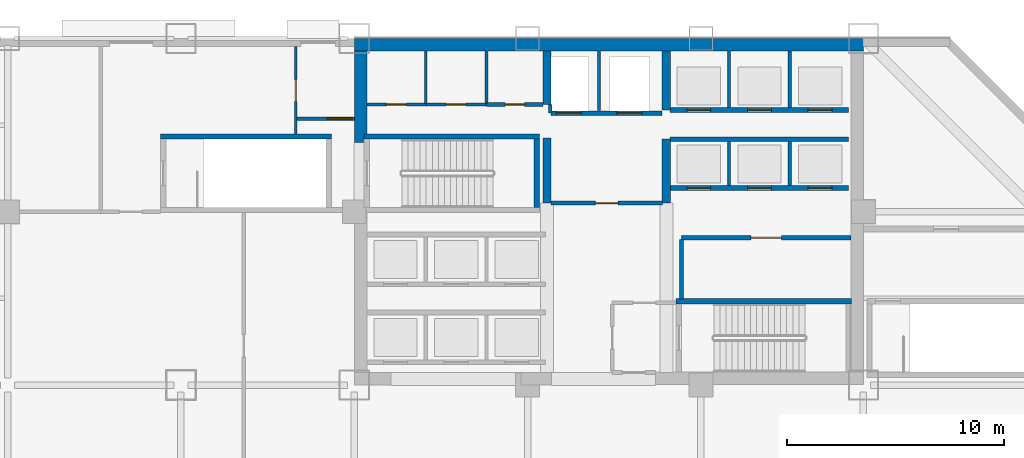
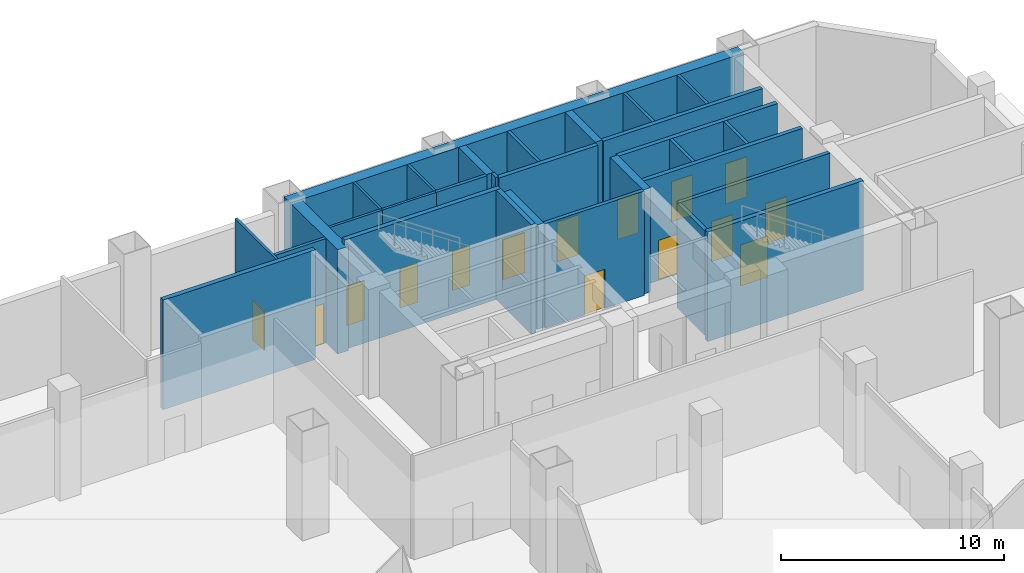
# One storey, part 13 of 19: 30 walls, 15 doors, 15 openings.
"""IFC4 building model written with IfcOpenShell, lengths in metres."""

import ifcopenshell
import ifcopenshell.guid

model = None  # the IFC model being written
_history = None  # IfcOwnerHistory: only IFC2X3 demands one
_inside = {}  # id of a spatial element -> (the spatial element, [elements in it])
_under = {}  # id of a project, library or spatial element -> (it, [spatial elements below it])
_declared = {}  # id of a project -> (the project, [libraries it declares])
_typed = {}  # id of a type object -> (the type object, [elements of that type])
_made_of = {}  # id of a material, layer set ... -> (it, [elements and type objects made of it])


def new_model(schema):
    """Start an empty IFC model of exactly this schema.

    Asked for "IFC4X3", IfcOpenShell would pick the latest addendum, in which some entities
    have other attributes; the version numbers below select the first issue.
    IFC2X3 requires an IfcOwnerHistory on every rooted entity: one is made here for all.
    """
    global model, _history
    if schema == "IFC4X3":
        model = ifcopenshell.file(schema_version=(4, 3, 0, 0))
    else:
        model = ifcopenshell.file(schema=schema)
    _inside.clear()
    _under.clear()
    _declared.clear()
    _typed.clear()
    _made_of.clear()
    _history = None
    if model.schema == "IFC2X3":
        org = make("IfcOrganization", Name="unknown")
        user = make(
            "IfcPersonAndOrganization",
            ThePerson=make("IfcPerson", FamilyName="unknown"),
            TheOrganization=org,
        )
        app = make(
            "IfcApplication",
            ApplicationDeveloper=org,
            Version="unknown",
            ApplicationFullName="unknown",
            ApplicationIdentifier="unknown",
        )
        _history = make(
            "IfcOwnerHistory",
            OwningUser=user,
            OwningApplication=app,
            ChangeAction="ADDED",
            CreationDate=0,
        )
    return model


def make(cls, **values):
    """One entity of the class cls with the attributes given. An attribute that is None is left unset."""
    return model.create_entity(
        cls, **{name: value for name, value in values.items() if value is not None}
    )


def rooted(cls, **values):
    """An entity with a GlobalId (a new one), such as an element, a storey or a relation."""
    return make(cls, GlobalId=ifcopenshell.guid.new(), OwnerHistory=_history, **values)


def si_unit(unit_type, name, prefix=None):
    """IfcSIUnit, for example si_unit("LENGTHUNIT", "METRE", prefix="MILLI")."""
    return make("IfcSIUnit", UnitType=unit_type, Prefix=prefix, Name=name)


def assignment(units):
    """IfcUnitAssignment: the units of a project."""
    return None if units is None else make("IfcUnitAssignment", Units=units)


def point(xyz):
    """IfcCartesianPoint."""
    return None if xyz is None else make("IfcCartesianPoint", Coordinates=xyz)


def direction(xyz):
    """IfcDirection."""
    return None if xyz is None else make("IfcDirection", DirectionRatios=xyz)


def frame(location, z_axis=None, x_axis=None):
    """IfcAxis2Placement3D, a coordinate frame: its origin and axes. An axis left out is left unset."""
    return make(
        "IfcAxis2Placement3D",
        Location=point(location),
        Axis=direction(z_axis),
        RefDirection=direction(x_axis),
    )


def frame_2d(location, x_axis=None):
    """IfcAxis2Placement2D, a coordinate frame in the plane: its origin and x axis."""
    return make(
        "IfcAxis2Placement2D", Location=point(location), RefDirection=direction(x_axis)
    )


def origin():
    """The frame at (0, 0, 0) with its axes left unset."""
    return frame((0.0, 0.0, 0.0))


def place(relative_to, where):
    """IfcLocalPlacement: puts the frame where relative to a parent placement (None: the world)."""
    return make(
        "IfcLocalPlacement", PlacementRelTo=relative_to, RelativePlacement=where
    )


def context(
    kind, dimensions, precision=None, world=None, true_north=None, identifier=None
):
    """IfcGeometricRepresentationContext, for example the 3D "Model" context."""
    return make(
        "IfcGeometricRepresentationContext",
        ContextIdentifier=identifier,
        ContextType=kind,
        CoordinateSpaceDimension=dimensions,
        Precision=precision,
        WorldCoordinateSystem=world,
        TrueNorth=true_north,
    )


def subcontext(parent, identifier, kind, view, scale=None):
    """IfcGeometricRepresentationSubContext, for example "Body" below "Model"."""
    return make(
        "IfcGeometricRepresentationSubContext",
        ContextIdentifier=identifier,
        ContextType=kind,
        ParentContext=parent,
        TargetScale=scale,
        TargetView=view,
    )


def project(units=None, contexts=None):
    """IfcProject with its units and contexts."""
    return rooted(
        "IfcProject",
        Name="project",
        RepresentationContexts=contexts,
        UnitsInContext=assignment(units),
    )


def spatial(cls, under=None, at=None, **own):
    """A site, building, storey or space (cls), placed at a placement, below another one or the project."""
    s = rooted(cls, ObjectPlacement=at, **own)
    if under is not None:
        _under.setdefault(under.id(), (under, []))[1].append(s)
    return s


def profile(cls, at=None, kind="AREA", **sizes):
    """A parametric profile (cls). Its sizes go by their IFC names, for example OverallWidth=200.0."""
    return make(cls, ProfileType=kind, Position=at, **sizes)


def rectangle(**sizes):
    """IfcRectangleProfileDef."""
    return profile("IfcRectangleProfileDef", **sizes)


def extrude(swept, where, along, depth):
    """IfcExtrudedAreaSolid: the profile swept, set in the frame where, extruded along a direction by depth."""
    return make(
        "IfcExtrudedAreaSolid",
        SweptArea=swept,
        Position=where,
        ExtrudedDirection=direction(along),
        Depth=depth,
    )


def shape(context_of_items, identifier, shape_type, items):
    """IfcShapeRepresentation: the items that make up one representation, for example the "Body"."""
    return make(
        "IfcShapeRepresentation",
        ContextOfItems=context_of_items,
        RepresentationIdentifier=identifier,
        RepresentationType=shape_type,
        Items=items,
    )


def material(Name=None, Category=None):
    """IfcMaterial."""
    return make("IfcMaterial", Name=Name, Category=Category)


def layer(
    of_material, thickness, ventilated=None, Name=None, Category=None, Priority=None
):
    """IfcMaterialLayer: one layer of a wall or slab, of a material (None: an air gap)."""
    return make(
        "IfcMaterialLayer",
        Material=of_material,
        LayerThickness=thickness,
        IsVentilated=ventilated,
        Name=Name,
        Category=Category,
        Priority=Priority,
    )


def layer_set(layers, Name=None):
    """IfcMaterialLayerSet."""
    return make("IfcMaterialLayerSet", MaterialLayers=layers, LayerSetName=Name)


def made_of(thing, what):
    """Note that an element or type object is made of a material, layer set ...; save() writes the relation."""
    if what is not None:
        _made_of.setdefault(what.id(), (what, []))[1].append(thing)
    return thing


def type_object(cls, material=None, **own):
    """A type object (cls), such as IfcWallType, which elements share."""
    return made_of(rooted(cls, **own), material)


def element(
    cls,
    number,
    at=None,
    inside=None,
    cuts=None,
    type_object=None,
    material=None,
    context=None,
    identifier="Body",
    shape_type=None,
    held_by="IfcProductDefinitionShape",
    body=None,
    shapes=None,
    **own,
):
    """One element of the class cls, such as IfcWall. Its Tag is "e" and its number.

    at: its placement. inside: the storey or other place that contains it. cuts: it is an
    opening in that element (IfcRelVoidsElement). A single representation is given by context,
    identifier, shape_type and body (its items); several are given by shapes. held_by: the class
    of the entity that holds the representations. save() writes the other relations.
    """
    e = rooted(cls, Tag="e%d" % number, ObjectPlacement=at, **own)
    if body is not None:
        shapes = [shape(context, identifier, shape_type, body)]
    if shapes is not None:
        e.Representation = make(held_by, Representations=shapes)
    if inside is not None:
        _inside.setdefault(inside.id(), (inside, []))[1].append(e)
    if cuts is not None:
        rooted(
            "IfcRelVoidsElement", RelatingBuildingElement=cuts, RelatedOpeningElement=e
        )
    if type_object is not None:
        _typed.setdefault(type_object.id(), (type_object, []))[1].append(e)
    return made_of(e, material)


def fill(opening, filler):
    """IfcRelFillsElement: the door or window that sits in an opening."""
    return rooted(
        "IfcRelFillsElement",
        RelatingOpeningElement=opening,
        RelatedBuildingElement=filler,
    )


def aggregate(whole, parts):
    """IfcRelAggregates: a whole, such as a stair, and the parts it consists of."""
    return rooted("IfcRelAggregates", RelatingObject=whole, RelatedObjects=parts)


def save(model, path):
    """Write the relations noted so far, then the file.

    IfcRelAggregates (storeys below a building ...), IfcRelContainedInSpatialStructure (elements
    in a storey), IfcRelDefinesByType, IfcRelAssociatesMaterial and IfcRelDeclares: one each for
    every whole, place, type object, material and project.
    """
    for whole, parts in _under.values():
        aggregate(whole, parts)
    for where, things in _inside.values():
        rooted(
            "IfcRelContainedInSpatialStructure",
            RelatedElements=things,
            RelatingStructure=where,
        )
    for kind, things in _typed.values():
        rooted("IfcRelDefinesByType", RelatedObjects=things, RelatingType=kind)
    for what, things in _made_of.values():
        rooted("IfcRelAssociatesMaterial", RelatedObjects=things, RelatingMaterial=what)
    for by, libraries in _declared.values():
        rooted("IfcRelDeclares", RelatingContext=by, RelatedDefinitions=libraries)
    model.write(path)


model = new_model("IFC4")

# Units and contexts
model_context = context("Model", 3, precision=1e-05, world=origin(), true_north=direction((0.0, 1.0)))
body_context = subcontext(model_context, "Body", "Model", "MODEL_VIEW")
ifc_project = project(units=[si_unit("LENGTHUNIT", "METRE"), si_unit("AREAUNIT", "SQUARE_METRE"), si_unit("VOLUMEUNIT", "CUBIC_METRE"), si_unit("PLANEANGLEUNIT", "RADIAN"), si_unit("MASSUNIT", "GRAM", prefix="KILO")], contexts=[model_context])

# Site, building, storey
site_placement = place(None, origin())
site = spatial("IfcSite", under=ifc_project, at=site_placement, CompositionType="ELEMENT")
building_placement = place(site_placement, origin())
building = spatial("IfcBuilding", under=site, at=building_placement, Name="Qianrong Seaharbour Tower", CompositionType="ELEMENT")
storey_placement = place(building_placement, origin())
storey = spatial("IfcBuildingStorey", under=building, at=storey_placement, Name="L01", CompositionType="ELEMENT", Elevation=0.0)

# Walls
ifc_material_1 = material(Name="Concrete C70/85", Category="concrete")
ifc_layer_1 = layer(ifc_material_1, 0.580078125)
ifc_layer_set_1 = layer_set([ifc_layer_1], Name="Concrete C70/85")
wall_type_1 = type_object("IfcWallType", Name="WALL-CORE-580", PredefinedType="SHEAR", material=ifc_layer_set_1)
wall_1_placement = place(storey_placement, frame((40.5, 51.7099609375, 0.0), z_axis=(0.0, 0.0, 1.0), x_axis=(1.0, 0.0, 0.0)))
element("IfcWall", 1, at=wall_1_placement, inside=storey, type_object=wall_type_1, Name="L01 North Core Shear Wall", PredefinedType="SHEAR", context=body_context, shape_type="SweptSolid", body=[
    extrude(rectangle(XDim=23.5, YDim=0.580078125, at=frame_2d((11.75, 0.0))), origin(), (0.0, 0.0, 1.0), 5.719970703125),
])
wall_2_placement = place(storey_placement, frame((40.7900390625, 47.199951171875, 0.0), z_axis=(0.0, 0.0, 1.0), x_axis=(0.0, 1.0, 0.0)))
element("IfcWall", 2, at=wall_2_placement, inside=storey, type_object=wall_type_1, Name="L01 West Core Shear Wall North", PredefinedType="SHEAR", context=body_context, shape_type="SweptSolid", body=[
    extrude(rectangle(XDim=4.219970703125, YDim=0.580078125, at=frame_2d((2.10986328125, 0.0))), origin(), (0.0, 0.0, 1.0), 5.719970703125),
])
ifc_material_2 = material(Name="Concrete C60/75", Category="concrete")
ifc_layer_2 = layer(ifc_material_2, 0.3798828125)
ifc_layer_set_2 = layer_set([ifc_layer_2], Name="Concrete C60/75")
wall_type_2 = type_object("IfcWallType", Name="WALL-CORE-INT-380", PredefinedType="SHEAR", material=ifc_layer_set_2)
wall_3_placement = place(storey_placement, frame((49.39990234375, 44.39990234375, 0.0), z_axis=(0.0, 0.0, 1.0), x_axis=(0.0, 1.0, 0.0)))
element("IfcWall", 3, at=wall_3_placement, inside=storey, type_object=wall_type_2, Name="L01 Internal Core Shear Wall IW1N1", PredefinedType="SHEAR", context=body_context, shape_type="SweptSolid", body=[
    extrude(rectangle(XDim=3.0, YDim=0.3798828125, at=frame_2d((1.5, 0.0))), origin(), (0.0, 0.0, 1.0), 5.719970703125),
])
wall_4_placement = place(storey_placement, frame((49.39990234375, 48.949951171875, 0.0), z_axis=(0.0, 0.0, 1.0), x_axis=(0.0, 1.0, 0.0)))
element("IfcWall", 4, at=wall_4_placement, inside=storey, type_object=wall_type_2, Name="L01 Internal Core Shear Wall IW1N2", PredefinedType="SHEAR", context=body_context, shape_type="SweptSolid", body=[
    extrude(rectangle(XDim=2.469970703125, YDim=0.3798828125, at=frame_2d((1.23486328125, 0.0))), origin(), (0.0, 0.0, 1.0), 5.719970703125),
])
wall_5_placement = place(storey_placement, frame((54.89990234375, 44.39990234375, 0.0), z_axis=(0.0, 0.0, 1.0), x_axis=(0.0, 1.0, 0.0)))
element("IfcWall", 5, at=wall_5_placement, inside=storey, type_object=wall_type_2, Name="L01 Internal Core Shear Wall IW2N1", PredefinedType="SHEAR", context=body_context, shape_type="SweptSolid", body=[
    extrude(rectangle(XDim=2.9501953125, YDim=0.3798828125, at=frame_2d((1.47509765625, 0.0))), origin(), (0.0, 0.0, 1.0), 5.719970703125),
])
wall_6_placement = place(storey_placement, frame((54.89990234375, 48.699951171875, 0.0), z_axis=(0.0, 0.0, 1.0), x_axis=(0.0, 1.0, 0.0)))
element("IfcWall", 6, at=wall_6_placement, inside=storey, type_object=wall_type_2, Name="L01 Internal Core Shear Wall IW2N2", PredefinedType="SHEAR", context=body_context, shape_type="SweptSolid", body=[
    extrude(rectangle(XDim=2.719970703125, YDim=0.3798828125, at=frame_2d((1.35986328125, 0.0))), origin(), (0.0, 0.0, 1.0), 5.719970703125),
])

# Wall, opening, door
ifc_material_3 = material(Name="Fire-rated acoustic gypsum board partition")
ifc_layer_3 = layer(ifc_material_3, 0.1650390625)
ifc_layer_set_3 = layer_set([ifc_layer_3], Name="Fire-rated acoustic gypsum board partition")
wall_type_3 = type_object("IfcWallType", Name="WALL-CORR-PART-165", PredefinedType="PARTITIONING", material=ifc_layer_set_3)
wall_7_placement = place(storey_placement, frame((46.60009765625, 48.949951171875, 0.0), z_axis=(0.0, 0.0, 1.0), x_axis=(1.0, 0.0, 0.0)))
wall_7 = element("IfcWall", 7, at=wall_7_placement, inside=storey, type_object=wall_type_3, Name="L01 Interior Partition Wall 004", PredefinedType="PARTITIONING", context=body_context, shape_type="SweptSolid", body=[
    extrude(rectangle(XDim=2.617919921875, YDim=0.1650390625, at=frame_2d((1.30908203125, 0.0))), origin(), (0.0, 0.0, 1.0), 5.719970703125),
])
opening_1_placement = place(wall_7_placement, frame((0.85888671875, 0.0, 0.0)))
opening_1 = element("IfcOpeningElement", 8, at=opening_1_placement, cuts=wall_7, Name="Opening DS-01", PredefinedType="OPENING", context=body_context, shape_type="SweptSolid", body=[
    extrude(rectangle(XDim=0.89990234375, YDim=2.14990234375, at=frame_2d((0.449951171875, 1.074951171875))), frame((0.0, 0.092529296875, 0.0), z_axis=(0.0, -1.0, 0.0), x_axis=(1.0, 0.0, 0.0)), (0.0, 0.0, 1.0), 0.18505859375),
])
ifc_material_4 = material(Name="Acoustic timber and galvanized steel fire door assembly", Category="steel")
door_type_1 = type_object("IfcDoorType", Name="DOOR-STORE-900x2150", OperationType="NOTDEFINED", PredefinedType="DOOR", material=ifc_material_4)
door_1_placement = place(opening_1_placement, origin())
door_1 = element("IfcDoor", 9, at=door_1_placement, inside=storey, type_object=door_type_1, Name="L01 Cleaner Store Room Door", OperationType="SINGLE_SWING_LEFT", OverallHeight=2.14990234375, OverallWidth=0.89990234375, PredefinedType="DOOR", context=body_context, shape_type="SweptSolid", body=[
    extrude(rectangle(XDim=0.89990234375, YDim=2.14990234375, at=frame_2d((0.449951171875, 1.074951171875))), frame((0.0, 0.02490234375, 0.0), z_axis=(0.0, -1.0, 0.0), x_axis=(1.0, 0.0, 0.0)), (0.0, 0.0, 1.0), 0.050048828125),
])
fill(opening_1, door_1)

wall_8_placement = place(storey_placement, frame((37.85693359375, 48.300048828125, 0.0), z_axis=(0.0, 0.0, 1.0), x_axis=(1.0, 0.0, 0.0)))
wall_8 = element("IfcWall", 10, at=wall_8_placement, inside=storey, type_object=wall_type_3, Name="L01 ST-1 Vestibule Fire Partition", PredefinedType="PARTITIONING", context=body_context, shape_type="SweptSolid", body=[
    extrude(rectangle(XDim=2.651123046875, YDim=0.1650390625, at=frame_2d((1.32568359375, 0.0))), origin(), (0.0, 0.0, 1.0), 5.719970703125),
])
opening_2_placement = place(wall_8_placement, frame((1.39306640625, 0.0, 0.0)))
opening_2 = element("IfcOpeningElement", 11, at=opening_2_placement, cuts=wall_8, Name="Opening SD-01", PredefinedType="OPENING", context=body_context, shape_type="SweptSolid", body=[
    extrude(rectangle(XDim=1.14990234375, YDim=2.199951171875, at=frame_2d((0.574951171875, 1.10009765625))), frame((0.0, 0.092529296875, 0.0), z_axis=(0.0, -1.0, 0.0), x_axis=(1.0, 0.0, 0.0)), (0.0, 0.0, 1.0), 0.18505859375),
])
door_type_2 = type_object("IfcDoorType", Name="DOOR-STAIR-FD60-1150x2200", OperationType="NOTDEFINED", PredefinedType="DOOR", material=ifc_material_4)
door_2_placement = place(opening_2_placement, origin())
door_2 = element("IfcDoor", 12, at=door_2_placement, inside=storey, type_object=door_type_2, Name="L01 Smokeproof Stair Vestibule ST-1 Door", OperationType="SINGLE_SWING_RIGHT", OverallHeight=2.199951171875, OverallWidth=1.14990234375, PredefinedType="DOOR", context=body_context, shape_type="SweptSolid", body=[
    extrude(rectangle(XDim=1.14990234375, YDim=2.199951171875, at=frame_2d((0.574951171875, 1.10009765625))), frame((0.0, 0.02490234375, 0.0), z_axis=(0.0, -1.0, 0.0), x_axis=(1.0, 0.0, 0.0)), (0.0, 0.0, 1.0), 0.050048828125),
])
fill(opening_2, door_2)

ifc_material_5 = material(Name="Double fire-rated gypsum board acoustic partition")
ifc_layer_4 = layer(ifc_material_5, 0.18994140625)
ifc_layer_set_4 = layer_set([ifc_layer_4], Name="Double fire-rated gypsum board acoustic partition")
wall_type_4 = type_object("IfcWallType", Name="WALL-FIRE-PART-190", PredefinedType="PARTITIONING", material=ifc_layer_set_4)
wall_9_placement = place(storey_placement, frame((54.718017578125, 44.39990234375, 0.0), z_axis=(0.0, 0.0, 1.0), x_axis=(-1.0, 0.0, 0.0)))
wall_9 = element("IfcWall", 13, at=wall_9_placement, inside=storey, type_object=wall_type_4, Name="L01 Interior Partition Wall 008", PredefinedType="PARTITIONING", context=body_context, shape_type="SweptSolid", body=[
    extrude(rectangle(XDim=5.135986328125, YDim=0.18994140625, at=frame_2d((2.56787109375, 0.0))), origin(), (0.0, 0.0, 1.0), 5.719970703125),
])
opening_3_placement = place(wall_9_placement, frame((2.04296875, 0.0, 0.0)))
opening_3 = element("IfcOpeningElement", 14, at=opening_3_placement, cuts=wall_9, Name="Opening DC-01", PredefinedType="OPENING", context=body_context, shape_type="SweptSolid", body=[
    extrude(rectangle(XDim=1.050048828125, YDim=2.14990234375, at=frame_2d((0.52490234375, 1.074951171875))), frame((0.0, 0.10498046875, 0.0), z_axis=(0.0, -1.0, 0.0), x_axis=(1.0, 0.0, 0.0)), (0.0, 0.0, 1.0), 0.2099609375),
])
door_type_3 = type_object("IfcDoorType", Name="DOOR-CORR-FD60-1050x2150", OperationType="NOTDEFINED", PredefinedType="DOOR", material=ifc_material_4)
door_3_placement = place(opening_3_placement, origin())
door_3 = element("IfcDoor", 15, at=door_3_placement, inside=storey, type_object=door_type_3, Name="L01 Firefighting Lift Lobby Door", OperationType="SINGLE_SWING_LEFT", OverallHeight=2.14990234375, OverallWidth=1.050048828125, PredefinedType="DOOR", context=body_context, shape_type="SweptSolid", body=[
    extrude(rectangle(XDim=1.050048828125, YDim=2.14990234375, at=frame_2d((0.52490234375, 1.074951171875))), frame((0.0, 0.02490234375, 0.0), z_axis=(0.0, -1.0, 0.0), x_axis=(1.0, 0.0, 0.0)), (0.0, 0.0, 1.0), 0.050048828125),
])
fill(opening_3, door_3)

# Wall
wall_10_placement = place(storey_placement, frame((55.60009765625, 42.712890625, 0.0), z_axis=(0.0, 0.0, 1.0), x_axis=(0.0, -1.0, 0.0)))
element("IfcWall", 16, at=wall_10_placement, inside=storey, type_object=wall_type_4, Name="L01 Interior Partition Wall 009", PredefinedType="PARTITIONING", context=body_context, shape_type="SweptSolid", body=[
    extrude(rectangle(XDim=2.73095703125, YDim=0.18994140625, at=frame_2d((1.365478515625, 0.0))), origin(), (0.0, 0.0, 1.0), 5.719970703125),
])

# Wall, opening, door
wall_11_placement = place(storey_placement, frame((63.419921875, 42.800048828125, 0.0), z_axis=(0.0, 0.0, 1.0), x_axis=(-1.0, 0.0, 0.0)))
wall_11 = element("IfcWall", 17, at=wall_11_placement, inside=storey, type_object=wall_type_4, Name="L01 Interior Partition Wall 010", PredefinedType="PARTITIONING", context=body_context, shape_type="SweptSolid", body=[
    extrude(rectangle(XDim=7.81982421875, YDim=0.18994140625, at=frame_2d((3.909912109375, 0.0))), origin(), (0.0, 0.0, 1.0), 5.719970703125),
])
opening_4_placement = place(wall_11_placement, frame((3.2099609375, 0.0, 0.0)))
opening_4 = element("IfcOpeningElement", 18, at=opening_4_placement, cuts=wall_11, Name="Opening DP-01", PredefinedType="OPENING", context=body_context, shape_type="SweptSolid", body=[
    extrude(rectangle(XDim=1.39990234375, YDim=2.25, at=frame_2d((0.699951171875, 1.125))), frame((0.0, 0.10498046875, 0.0), z_axis=(0.0, -1.0, 0.0), x_axis=(1.0, 0.0, 0.0)), (0.0, 0.0, 1.0), 0.2099609375),
])
door_type_4 = type_object("IfcDoorType", Name="DOOR-PLANT-PAIR-1400x2250", OperationType="DOUBLE_DOOR_SINGLE_SWING", PredefinedType="DOOR", material=ifc_material_4)
door_4_placement = place(opening_4_placement, origin())
door_4 = element("IfcDoor", 19, at=door_4_placement, inside=storey, type_object=door_type_4, Name="L01 Core Telecom Hub Room Door", OperationType="DOUBLE_DOOR_SINGLE_SWING", OverallHeight=2.25, OverallWidth=1.39990234375, PredefinedType="DOOR", context=body_context, shape_type="SweptSolid", body=[
    extrude(rectangle(XDim=1.39990234375, YDim=2.25, at=frame_2d((0.699951171875, 1.125))), frame((0.0, 0.02490234375, 0.0), z_axis=(0.0, -1.0, 0.0), x_axis=(1.0, 0.0, 0.0)), (0.0, 0.0, 1.0), 0.050048828125),
])
fill(opening_4, door_4)

# Walls
ifc_material_6 = material(Name="Fire-rated gypsum board on steel studs", Category="steel")
ifc_layer_5 = layer(ifc_material_6, 0.14990234375)
ifc_layer_set_5 = layer_set([ifc_layer_5], Name="Fire-rated gypsum board on steel studs")
wall_type_5 = type_object("IfcWallType", Name="WALL-SHAFT-DIV-150", PredefinedType="PARTITIONING", material=ifc_layer_set_5)
wall_12_placement = place(storey_placement, frame((51.800048828125, 48.669921875, 0.0), z_axis=(0.0, 0.0, 1.0), x_axis=(0.0, 1.0, 0.0)))
element("IfcWall", 20, at=wall_12_placement, inside=storey, type_object=wall_type_5, Name="L01 Firefighting Lift Shaft Divider Wall", PredefinedType="PARTITIONING", context=body_context, shape_type="SweptSolid", body=[
    extrude(rectangle(XDim=2.75, YDim=0.14990234375, at=frame_2d((1.375, 0.0))), origin(), (0.0, 0.0, 1.0), 5.719970703125),
])
wall_13_placement = place(storey_placement, frame((49.550048828125, 48.550048828125, 0.0), z_axis=(0.0, 0.0, 1.0), x_axis=(0.0, 1.0, 0.0)))
element("IfcWall", 21, at=wall_13_placement, inside=storey, type_object=wall_type_5, Name="L01 Firefighting Lift Shaft West Return Wall", PredefinedType="PARTITIONING", context=body_context, shape_type="SweptSolid", body=[
    extrude(rectangle(XDim=0.39990234375, YDim=0.14990234375, at=frame_2d((0.199951171875, 0.0))), origin(), (0.0, 0.0, 1.0), 5.719970703125),
])
for number, where, z_axis, x_axis, name in (
    (22, (57.800048828125, 45.2099609375, 0.0), (0.0, 0.0, 1.0), (0.0, 1.0, 0.0), "L01 P3 Lift Hoistway Divider 2"),
    (23, (60.60009765625, 45.2099609375, 0.0), (0.0, 0.0, 1.0), (0.0, 1.0, 0.0), "L01 P3 Lift Hoistway Divider 3"),
):
    element("IfcWall", number, at=place(storey_placement, frame(where, z_axis=z_axis, x_axis=x_axis)), inside=storey, type_object=wall_type_5, Name=name, PredefinedType="PARTITIONING", context=body_context, shape_type="SweptSolid", body=[
        extrude(rectangle(XDim=2.030029296875, YDim=0.14990234375, at=frame_2d((1.01513671875, 0.0))), origin(), (0.0, 0.0, 1.0), 5.719970703125),
    ])
for number, where, z_axis, x_axis, name in (
    (24, (57.800048828125, 48.81005859375, 0.0), (0.0, 0.0, 1.0), (0.0, 1.0, 0.0), "L01 P4 Lift Hoistway Divider 2"),
    (25, (60.60009765625, 48.81005859375, 0.0), (0.0, 0.0, 1.0), (0.0, 1.0, 0.0), "L01 P4 Lift Hoistway Divider 3"),
):
    element("IfcWall", number, at=place(storey_placement, frame(where, z_axis=z_axis, x_axis=x_axis)), inside=storey, type_object=wall_type_5, Name=name, PredefinedType="PARTITIONING", context=body_context, shape_type="SweptSolid", body=[
        extrude(rectangle(XDim=2.60986328125, YDim=0.14990234375, at=frame_2d((1.304931640625, 0.0))), origin(), (0.0, 0.0, 1.0), 5.719970703125),
    ])

# Wall, openings, doors
ifc_layer_6 = layer(ifc_material_6, 0.219970703125)
ifc_layer_set_6 = layer_set([ifc_layer_6], Name="Fire-rated gypsum board on steel studs")
wall_type_6 = type_object("IfcWallType", Name="WALL-SHAFT-GYP220", PredefinedType="PARTITIONING", material=ifc_layer_set_6)
wall_14_placement = place(storey_placement, frame((54.7099609375, 48.550048828125, 0.0), z_axis=(0.0, 0.0, 1.0), x_axis=(-1.0, 0.0, 0.0)))
wall_14 = element("IfcWall", 26, at=wall_14_placement, inside=storey, type_object=wall_type_6, Name="L01 Firefighting Lift Shaft Front Wall", PredefinedType="PARTITIONING", context=body_context, shape_type="SweptSolid", body=[
    extrude(rectangle(XDim=5.119873046875, YDim=0.219970703125, at=frame_2d((2.56005859375, 0.0))), origin(), (0.0, 0.0, 1.0), 5.719970703125),
])
opening_5_placement = place(wall_14_placement, frame((3.735107421875, 0.0, 0.0)))
opening_5 = element("IfcOpeningElement", 27, at=opening_5_placement, cuts=wall_14, Name="Opening LD-01", PredefinedType="OPENING", context=body_context, shape_type="SweptSolid", body=[
    extrude(rectangle(XDim=1.14990234375, YDim=2.199951171875, at=frame_2d((0.574951171875, 1.10009765625))), frame((0.0, 0.1201171875, 0.0), z_axis=(0.0, -1.0, 0.0), x_axis=(1.0, 0.0, 0.0)), (0.0, 0.0, 1.0), 0.239990234375),
])
opening_6_placement = place(wall_14_placement, frame((0.93505859375, 0.0, 0.0)))
opening_6 = element("IfcOpeningElement", 28, at=opening_6_placement, cuts=wall_14, Name="Opening LD-01", PredefinedType="OPENING", context=body_context, shape_type="SweptSolid", body=[
    extrude(rectangle(XDim=1.14990234375, YDim=2.199951171875, at=frame_2d((0.574951171875, 1.10009765625))), frame((0.0, 0.1201171875, 0.0), z_axis=(0.0, -1.0, 0.0), x_axis=(1.0, 0.0, 0.0)), (0.0, 0.0, 1.0), 0.239990234375),
])
ifc_material_7 = material(Name="Stainless steel SUS316L bi-parting lift landing door", Category="steel")
door_type_5 = type_object("IfcDoorType", Name="DOOR-LIFT-FF-1150x2200", OperationType="DOUBLE_DOOR_SLIDING", PredefinedType="DOOR", material=ifc_material_7)
door_5_placement = place(opening_5_placement, origin())
door_5 = element("IfcDoor", 29, at=door_5_placement, inside=storey, type_object=door_type_5, Name="L01 FL-1 Firefighting Lift Landing Door", OperationType="DOUBLE_DOOR_SLIDING", OverallHeight=2.199951171875, OverallWidth=1.14990234375, PredefinedType="DOOR", context=body_context, shape_type="SweptSolid", body=[
    extrude(rectangle(XDim=1.14990234375, YDim=2.199951171875, at=frame_2d((0.574951171875, 1.10009765625))), frame((0.0, 0.02490234375, 0.0), z_axis=(0.0, -1.0, 0.0), x_axis=(1.0, 0.0, 0.0)), (0.0, 0.0, 1.0), 0.050048828125),
])
fill(opening_5, door_5)
door_6_placement = place(opening_6_placement, origin())
door_6 = element("IfcDoor", 30, at=door_6_placement, inside=storey, type_object=door_type_5, Name="L01 FL-2 Firefighting Lift Landing Door", OperationType="DOUBLE_DOOR_SLIDING", OverallHeight=2.199951171875, OverallWidth=1.14990234375, PredefinedType="DOOR", context=body_context, shape_type="SweptSolid", body=[
    extrude(rectangle(XDim=1.14990234375, YDim=2.199951171875, at=frame_2d((0.574951171875, 1.10009765625))), frame((0.0, 0.02490234375, 0.0), z_axis=(0.0, -1.0, 0.0), x_axis=(1.0, 0.0, 0.0)), (0.0, 0.0, 1.0), 0.050048828125),
])
fill(opening_6, door_6)

wall_15_placement = place(storey_placement, frame((63.320068359375, 45.10009765625, 0.0), z_axis=(0.0, 0.0, 1.0), x_axis=(-1.0, 0.0, 0.0)))
wall_15 = element("IfcWall", 31, at=wall_15_placement, inside=storey, type_object=wall_type_6, Name="L01 P3 Lift Hoistway Front Wall", PredefinedType="PARTITIONING", context=body_context, shape_type="SweptSolid", body=[
    extrude(rectangle(XDim=8.239990234375, YDim=0.219970703125, at=frame_2d((4.1201171875, 0.0))), origin(), (0.0, 0.0, 1.0), 5.719970703125),
])
opening_7_placement = place(wall_15_placement, frame((6.3701171875, 0.0, 0.0)))
opening_7 = element("IfcOpeningElement", 32, at=opening_7_placement, cuts=wall_15, Name="Opening LD-02", PredefinedType="OPENING", context=body_context, shape_type="SweptSolid", body=[
    extrude(rectangle(XDim=1.10009765625, YDim=2.199951171875, at=frame_2d((0.550048828125, 1.10009765625))), frame((0.0, 0.1201171875, 0.0), z_axis=(0.0, -1.0, 0.0), x_axis=(1.0, 0.0, 0.0)), (0.0, 0.0, 1.0), 0.239990234375),
])
opening_8_placement = place(wall_15_placement, frame((3.570068359375, 0.0, 0.0)))
opening_8 = element("IfcOpeningElement", 33, at=opening_8_placement, cuts=wall_15, Name="Opening LD-02", PredefinedType="OPENING", context=body_context, shape_type="SweptSolid", body=[
    extrude(rectangle(XDim=1.10009765625, YDim=2.199951171875, at=frame_2d((0.550048828125, 1.10009765625))), frame((0.0, 0.1201171875, 0.0), z_axis=(0.0, -1.0, 0.0), x_axis=(1.0, 0.0, 0.0)), (0.0, 0.0, 1.0), 0.239990234375),
])
opening_9_placement = place(wall_15_placement, frame((0.77001953125, 0.0, 0.0)))
opening_9 = element("IfcOpeningElement", 34, at=opening_9_placement, cuts=wall_15, Name="Opening LD-02", PredefinedType="OPENING", context=body_context, shape_type="SweptSolid", body=[
    extrude(rectangle(XDim=1.10009765625, YDim=2.199951171875, at=frame_2d((0.550048828125, 1.10009765625))), frame((0.0, 0.1201171875, 0.0), z_axis=(0.0, -1.0, 0.0), x_axis=(1.0, 0.0, 0.0)), (0.0, 0.0, 1.0), 0.239990234375),
])
door_type_6 = type_object("IfcDoorType", Name="DOOR-LIFT-PASS-1100x2200", OperationType="DOUBLE_DOOR_SLIDING", PredefinedType="DOOR", material=ifc_material_7)
door_7_placement = place(opening_7_placement, origin())
door_7 = element("IfcDoor", 35, at=door_7_placement, inside=storey, type_object=door_type_6, Name="L01 PL-3A Lift Landing Door", OperationType="DOUBLE_DOOR_SLIDING", OverallHeight=2.199951171875, OverallWidth=1.10009765625, PredefinedType="DOOR", context=body_context, shape_type="SweptSolid", body=[
    extrude(rectangle(XDim=1.10009765625, YDim=2.199951171875, at=frame_2d((0.550048828125, 1.10009765625))), frame((0.0, 0.02490234375, 0.0), z_axis=(0.0, -1.0, 0.0), x_axis=(1.0, 0.0, 0.0)), (0.0, 0.0, 1.0), 0.050048828125),
])
fill(opening_7, door_7)
door_8_placement = place(opening_8_placement, origin())
door_8 = element("IfcDoor", 36, at=door_8_placement, inside=storey, type_object=door_type_6, Name="L01 PL-3B Lift Landing Door", OperationType="DOUBLE_DOOR_SLIDING", OverallHeight=2.199951171875, OverallWidth=1.10009765625, PredefinedType="DOOR", context=body_context, shape_type="SweptSolid", body=[
    extrude(rectangle(XDim=1.10009765625, YDim=2.199951171875, at=frame_2d((0.550048828125, 1.10009765625))), frame((0.0, 0.02490234375, 0.0), z_axis=(0.0, -1.0, 0.0), x_axis=(1.0, 0.0, 0.0)), (0.0, 0.0, 1.0), 0.050048828125),
])
fill(opening_8, door_8)
door_9_placement = place(opening_9_placement, origin())
door_9 = element("IfcDoor", 37, at=door_9_placement, inside=storey, type_object=door_type_6, Name="L01 PL-3C Lift Landing Door", OperationType="DOUBLE_DOOR_SLIDING", OverallHeight=2.199951171875, OverallWidth=1.10009765625, PredefinedType="DOOR", context=body_context, shape_type="SweptSolid", body=[
    extrude(rectangle(XDim=1.10009765625, YDim=2.199951171875, at=frame_2d((0.550048828125, 1.10009765625))), frame((0.0, 0.02490234375, 0.0), z_axis=(0.0, -1.0, 0.0), x_axis=(1.0, 0.0, 0.0)), (0.0, 0.0, 1.0), 0.050048828125),
])
fill(opening_9, door_9)

# Wall
wall_16_placement = place(storey_placement, frame((55.080078125, 47.35009765625, 0.0), z_axis=(0.0, 0.0, 1.0), x_axis=(1.0, 0.0, 0.0)))
element("IfcWall", 38, at=wall_16_placement, inside=storey, type_object=wall_type_6, Name="L01 P3 Lift Hoistway Back Wall", PredefinedType="PARTITIONING", context=body_context, shape_type="SweptSolid", body=[
    extrude(rectangle(XDim=8.239990234375, YDim=0.219970703125, at=frame_2d((4.1201171875, 0.0))), origin(), (0.0, 0.0, 1.0), 5.719970703125),
])

# Wall, openings, doors
wall_17_placement = place(storey_placement, frame((63.320068359375, 48.699951171875, 0.0), z_axis=(0.0, 0.0, 1.0), x_axis=(-1.0, 0.0, 0.0)))
wall_17 = element("IfcWall", 39, at=wall_17_placement, inside=storey, type_object=wall_type_6, Name="L01 P4 Lift Hoistway Front Wall", PredefinedType="PARTITIONING", context=body_context, shape_type="SweptSolid", body=[
    extrude(rectangle(XDim=8.239990234375, YDim=0.219970703125, at=frame_2d((4.1201171875, 0.0))), origin(), (0.0, 0.0, 1.0), 5.719970703125),
])
opening_10_placement = place(wall_17_placement, frame((6.3701171875, 0.0, 0.0)))
opening_10 = element("IfcOpeningElement", 40, at=opening_10_placement, cuts=wall_17, Name="Opening LD-02", PredefinedType="OPENING", context=body_context, shape_type="SweptSolid", body=[
    extrude(rectangle(XDim=1.10009765625, YDim=2.199951171875, at=frame_2d((0.550048828125, 1.10009765625))), frame((0.0, 0.1201171875, 0.0), z_axis=(0.0, -1.0, 0.0), x_axis=(1.0, 0.0, 0.0)), (0.0, 0.0, 1.0), 0.239990234375),
])
opening_11_placement = place(wall_17_placement, frame((3.570068359375, 0.0, 0.0)))
opening_11 = element("IfcOpeningElement", 41, at=opening_11_placement, cuts=wall_17, Name="Opening LD-02", PredefinedType="OPENING", context=body_context, shape_type="SweptSolid", body=[
    extrude(rectangle(XDim=1.10009765625, YDim=2.199951171875, at=frame_2d((0.550048828125, 1.10009765625))), frame((0.0, 0.1201171875, 0.0), z_axis=(0.0, -1.0, 0.0), x_axis=(1.0, 0.0, 0.0)), (0.0, 0.0, 1.0), 0.239990234375),
])
opening_12_placement = place(wall_17_placement, frame((0.77001953125, 0.0, 0.0)))
opening_12 = element("IfcOpeningElement", 42, at=opening_12_placement, cuts=wall_17, Name="Opening LD-02", PredefinedType="OPENING", context=body_context, shape_type="SweptSolid", body=[
    extrude(rectangle(XDim=1.10009765625, YDim=2.199951171875, at=frame_2d((0.550048828125, 1.10009765625))), frame((0.0, 0.1201171875, 0.0), z_axis=(0.0, -1.0, 0.0), x_axis=(1.0, 0.0, 0.0)), (0.0, 0.0, 1.0), 0.239990234375),
])
door_10_placement = place(opening_10_placement, origin())
door_10 = element("IfcDoor", 43, at=door_10_placement, inside=storey, type_object=door_type_6, Name="L01 PL-4A Lift Landing Door", OperationType="DOUBLE_DOOR_SLIDING", OverallHeight=2.199951171875, OverallWidth=1.10009765625, PredefinedType="DOOR", context=body_context, shape_type="SweptSolid", body=[
    extrude(rectangle(XDim=1.10009765625, YDim=2.199951171875, at=frame_2d((0.550048828125, 1.10009765625))), frame((0.0, 0.02490234375, 0.0), z_axis=(0.0, -1.0, 0.0), x_axis=(1.0, 0.0, 0.0)), (0.0, 0.0, 1.0), 0.050048828125),
])
fill(opening_10, door_10)
door_11_placement = place(opening_11_placement, origin())
door_11 = element("IfcDoor", 44, at=door_11_placement, inside=storey, type_object=door_type_6, Name="L01 PL-4B Lift Landing Door", OperationType="DOUBLE_DOOR_SLIDING", OverallHeight=2.199951171875, OverallWidth=1.10009765625, PredefinedType="DOOR", context=body_context, shape_type="SweptSolid", body=[
    extrude(rectangle(XDim=1.10009765625, YDim=2.199951171875, at=frame_2d((0.550048828125, 1.10009765625))), frame((0.0, 0.02490234375, 0.0), z_axis=(0.0, -1.0, 0.0), x_axis=(1.0, 0.0, 0.0)), (0.0, 0.0, 1.0), 0.050048828125),
])
fill(opening_11, door_11)
door_12_placement = place(opening_12_placement, origin())
door_12 = element("IfcDoor", 45, at=door_12_placement, inside=storey, type_object=door_type_6, Name="L01 PL-4C Lift Landing Door", OperationType="DOUBLE_DOOR_SLIDING", OverallHeight=2.199951171875, OverallWidth=1.10009765625, PredefinedType="DOOR", context=body_context, shape_type="SweptSolid", body=[
    extrude(rectangle(XDim=1.10009765625, YDim=2.199951171875, at=frame_2d((0.550048828125, 1.10009765625))), frame((0.0, 0.02490234375, 0.0), z_axis=(0.0, -1.0, 0.0), x_axis=(1.0, 0.0, 0.0)), (0.0, 0.0, 1.0), 0.050048828125),
])
fill(opening_12, door_12)

# Walls
ifc_material_8 = material(Name="Concrete C50/60", Category="concrete")
ifc_layer_7 = layer(ifc_material_8, 0.239990234375)
ifc_layer_set_7 = layer_set([ifc_layer_7], Name="Concrete C50/60")
wall_type_7 = type_object("IfcWallType", Name="WALL-SHAFT-RC240", PredefinedType="SOLIDWALL", material=ifc_layer_set_7)
wall_18_placement = place(storey_placement, frame((40.9599609375, 47.469970703125, 0.0), z_axis=(0.0, 0.0, 1.0), x_axis=(1.0, 0.0, 0.0)))
element("IfcWall", 46, at=wall_18_placement, inside=storey, type_object=wall_type_7, Name="L01 ST-1 Structural Stair Core Wall N", PredefinedType="SOLIDWALL", context=body_context, shape_type="SweptSolid", body=[
    extrude(rectangle(XDim=8.080078125, YDim=0.239990234375, at=frame_2d((4.0400390625, 0.0))), origin(), (0.0, 0.0, 1.0), 6.0),
])
wall_19_placement = place(storey_placement, frame((48.919921875, 44.199951171875, 0.0), z_axis=(0.0, 0.0, 1.0), x_axis=(0.0, 1.0, 0.0)))
element("IfcWall", 47, at=wall_19_placement, inside=storey, type_object=wall_type_7, Name="L01 ST-1 Structural Stair Core Wall E", PredefinedType="SOLIDWALL", context=body_context, shape_type="SweptSolid", body=[
    extrude(rectangle(XDim=3.150146484375, YDim=0.239990234375, at=frame_2d((1.5751953125, 0.0))), origin(), (0.0, 0.0, 1.0), 6.0),
])
wall_20_placement = place(storey_placement, frame((55.360107421875, 39.8701171875, 0.0), z_axis=(0.0, 0.0, 1.0), x_axis=(1.0, 0.0, 0.0)))
element("IfcWall", 48, at=wall_20_placement, inside=storey, type_object=wall_type_7, Name="L01 ST-2 Structural Stair Core Wall N", PredefinedType="SOLIDWALL", context=body_context, shape_type="SweptSolid", body=[
    extrude(rectangle(XDim=8.079833984375, YDim=0.239990234375, at=frame_2d((4.0400390625, 0.0))), origin(), (0.0, 0.0, 1.0), 6.0),
])
wall_21_placement = place(storey_placement, frame((31.56005859375, 47.469970703125, 0.0), z_axis=(0.0, 0.0, 1.0), x_axis=(1.0, 0.0, 0.0)))
element("IfcWall", 49, at=wall_21_placement, inside=storey, type_object=wall_type_7, Name="L01 BST-1 Structural Stair Core Wall N", PredefinedType="SOLIDWALL", context=body_context, shape_type="SweptSolid", body=[
    extrude(rectangle(XDim=7.8798828125, YDim=0.239990234375, at=frame_2d((3.93994140625, 0.0))), origin(), (0.0, 0.0, 1.0), 6.0),
])

# Wall, opening, door
ifc_material_9 = material(Name="Water-resistant cement board sanitary partition")
ifc_layer_8 = layer(ifc_material_9, 0.1298828125)
ifc_layer_set_8 = layer_set([ifc_layer_8], Name="Water-resistant cement board sanitary partition")
wall_type_8 = type_object("IfcWallType", Name="WALL-WET-PART-130", PredefinedType="PARTITIONING", material=ifc_layer_set_8)
wall_22_placement = place(storey_placement, frame((37.800048828125, 47.58203125, 0.0), z_axis=(0.0, 0.0, 1.0), x_axis=(0.0, 1.0, 0.0)))
wall_22 = element("IfcWall", 50, at=wall_22_placement, inside=storey, type_object=wall_type_8, Name="L01 Interior Partition Wall 001", PredefinedType="PARTITIONING", context=body_context, shape_type="SweptSolid", body=[
    extrude(rectangle(XDim=4.0458984375, YDim=0.1298828125, at=frame_2d((2.02294921875, 0.0))), origin(), (0.0, 0.0, 1.0), 5.719970703125),
])
opening_13_placement = place(wall_22_placement, frame((1.512939453125, 0.0, 0.0)))
opening_13 = element("IfcOpeningElement", 51, at=opening_13_placement, cuts=wall_22, Name="Opening DAW-01", PredefinedType="OPENING", context=body_context, shape_type="SweptSolid", body=[
    extrude(rectangle(XDim=1.02001953125, YDim=2.14990234375, at=frame_2d((0.510009765625, 1.074951171875))), frame((0.0, 0.074951171875, 0.0), z_axis=(0.0, -1.0, 0.0), x_axis=(1.0, 0.0, 0.0)), (0.0, 0.0, 1.0), 0.14990234375),
])
door_type_7 = type_object("IfcDoorType", Name="DOOR-AWC-SLIDE-1020x2150", OperationType="SLIDING_TO_LEFT", PredefinedType="DOOR", material=ifc_material_4)
door_13_placement = place(opening_13_placement, origin())
door_13 = element("IfcDoor", 52, at=door_13_placement, inside=storey, type_object=door_type_7, Name="L01 Accessible Restroom WC Door", OperationType="SLIDING_TO_LEFT", OverallHeight=2.14990234375, OverallWidth=1.02001953125, PredefinedType="DOOR", context=body_context, shape_type="SweptSolid", body=[
    extrude(rectangle(XDim=1.02001953125, YDim=2.14990234375, at=frame_2d((0.510009765625, 1.074951171875))), frame((0.0, 0.02490234375, 0.0), z_axis=(0.0, -1.0, 0.0), x_axis=(1.0, 0.0, 0.0)), (0.0, 0.0, 1.0), 0.050048828125),
])
fill(opening_13, door_13)

wall_23_placement = place(storey_placement, frame((41.080078125, 48.949951171875, 0.0), z_axis=(0.0, 0.0, 1.0), x_axis=(1.0, 0.0, 0.0)))
wall_23 = element("IfcWall", 53, at=wall_23_placement, inside=storey, type_object=wall_type_8, Name="L01 Interior Partition Wall 002", PredefinedType="PARTITIONING", context=body_context, shape_type="SweptSolid", body=[
    extrude(rectangle(XDim=2.719970703125, YDim=0.1298828125, at=frame_2d((1.35986328125, 0.0))), origin(), (0.0, 0.0, 1.0), 5.719970703125),
])
opening_14_placement = place(wall_23_placement, frame((0.89990234375, 0.0, 0.0)))
opening_14 = element("IfcOpeningElement", 54, at=opening_14_placement, cuts=wall_23, Name="Opening DW-01", PredefinedType="OPENING", context=body_context, shape_type="SweptSolid", body=[
    extrude(rectangle(XDim=0.919921875, YDim=2.14990234375, at=frame_2d((0.4599609375, 1.074951171875))), frame((0.0, 0.074951171875, 0.0), z_axis=(0.0, -1.0, 0.0), x_axis=(1.0, 0.0, 0.0)), (0.0, 0.0, 1.0), 0.14990234375),
])
door_type_8 = type_object("IfcDoorType", Name="DOOR-WC-920x2150", OperationType="NOTDEFINED", PredefinedType="DOOR", material=ifc_material_4)
door_14_placement = place(opening_14_placement, origin())
door_14 = element("IfcDoor", 55, at=door_14_placement, inside=storey, type_object=door_type_8, Name="L01 Male Restroom WC Door", OperationType="SINGLE_SWING_LEFT", OverallHeight=2.14990234375, OverallWidth=0.919921875, PredefinedType="DOOR", context=body_context, shape_type="SweptSolid", body=[
    extrude(rectangle(XDim=0.919921875, YDim=2.14990234375, at=frame_2d((0.4599609375, 1.074951171875))), frame((0.0, 0.02490234375, 0.0), z_axis=(0.0, -1.0, 0.0), x_axis=(1.0, 0.0, 0.0)), (0.0, 0.0, 1.0), 0.050048828125),
])
fill(opening_14, door_14)

wall_24_placement = place(storey_placement, frame((43.800048828125, 48.949951171875, 0.0), z_axis=(0.0, 0.0, 1.0), x_axis=(1.0, 0.0, 0.0)))
wall_24 = element("IfcWall", 56, at=wall_24_placement, inside=storey, type_object=wall_type_8, Name="L01 Interior Partition Wall 003", PredefinedType="PARTITIONING", context=body_context, shape_type="SweptSolid", body=[
    extrude(rectangle(XDim=2.800048828125, YDim=0.1298828125, at=frame_2d((1.39990234375, 0.0))), origin(), (0.0, 0.0, 1.0), 5.719970703125),
])
opening_15_placement = place(wall_24_placement, frame((0.93994140625, 0.0, 0.0)))
opening_15 = element("IfcOpeningElement", 57, at=opening_15_placement, cuts=wall_24, Name="Opening DW-01", PredefinedType="OPENING", context=body_context, shape_type="SweptSolid", body=[
    extrude(rectangle(XDim=0.919921875, YDim=2.14990234375, at=frame_2d((0.4599609375, 1.074951171875))), frame((0.0, 0.074951171875, 0.0), z_axis=(0.0, -1.0, 0.0), x_axis=(1.0, 0.0, 0.0)), (0.0, 0.0, 1.0), 0.14990234375),
])
door_15_placement = place(opening_15_placement, origin())
door_15 = element("IfcDoor", 58, at=door_15_placement, inside=storey, type_object=door_type_8, Name="L01 Female Restroom WC Door", OperationType="SINGLE_SWING_RIGHT", OverallHeight=2.14990234375, OverallWidth=0.919921875, PredefinedType="DOOR", context=body_context, shape_type="SweptSolid", body=[
    extrude(rectangle(XDim=0.919921875, YDim=2.14990234375, at=frame_2d((0.4599609375, 1.074951171875))), frame((0.0, 0.02490234375, 0.0), z_axis=(0.0, -1.0, 0.0), x_axis=(1.0, 0.0, 0.0)), (0.0, 0.0, 1.0), 0.050048828125),
])
fill(opening_15, door_15)

# Walls
wall_25_placement = place(storey_placement, frame((43.800048828125, 51.419921875, 0.0), z_axis=(0.0, 0.0, 1.0), x_axis=(0.0, -1.0, 0.0)))
element("IfcWall", 59, at=wall_25_placement, inside=storey, type_object=wall_type_8, Name="L01 Interior Partition Wall 011", PredefinedType="PARTITIONING", context=body_context, shape_type="SweptSolid", body=[
    extrude(rectangle(XDim=2.412841796875, YDim=0.1298828125, at=frame_2d((1.20654296875, 0.0))), origin(), (0.0, 0.0, 1.0), 5.719970703125),
])
wall_26_placement = place(storey_placement, frame((46.60009765625, 51.419921875, 0.0), z_axis=(0.0, 0.0, 1.0), x_axis=(0.0, -1.0, 0.0)))
element("IfcWall", 60, at=wall_26_placement, inside=storey, type_object=wall_type_8, Name="L01 Interior Partition Wall 012", PredefinedType="PARTITIONING", context=body_context, shape_type="SweptSolid", body=[
    extrude(rectangle(XDim=2.3955078125, YDim=0.1298828125, at=frame_2d((1.19775390625, 0.0))), origin(), (0.0, 0.0, 1.0), 5.719970703125),
])

save(model, "model.ifc")
